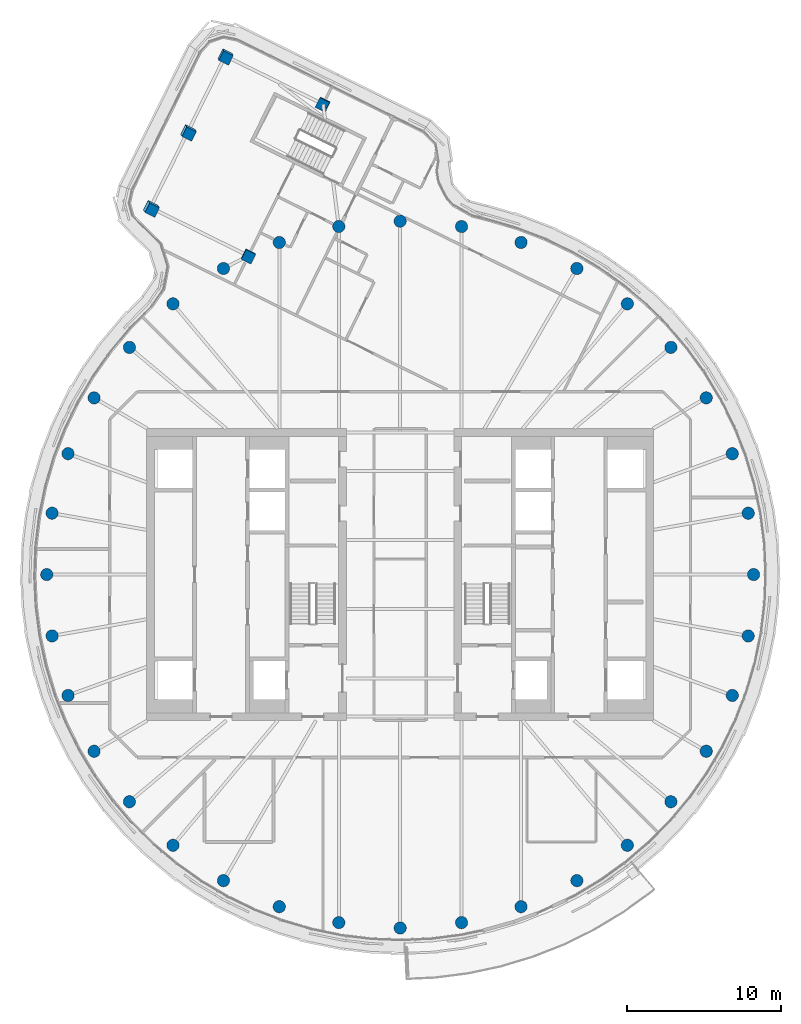
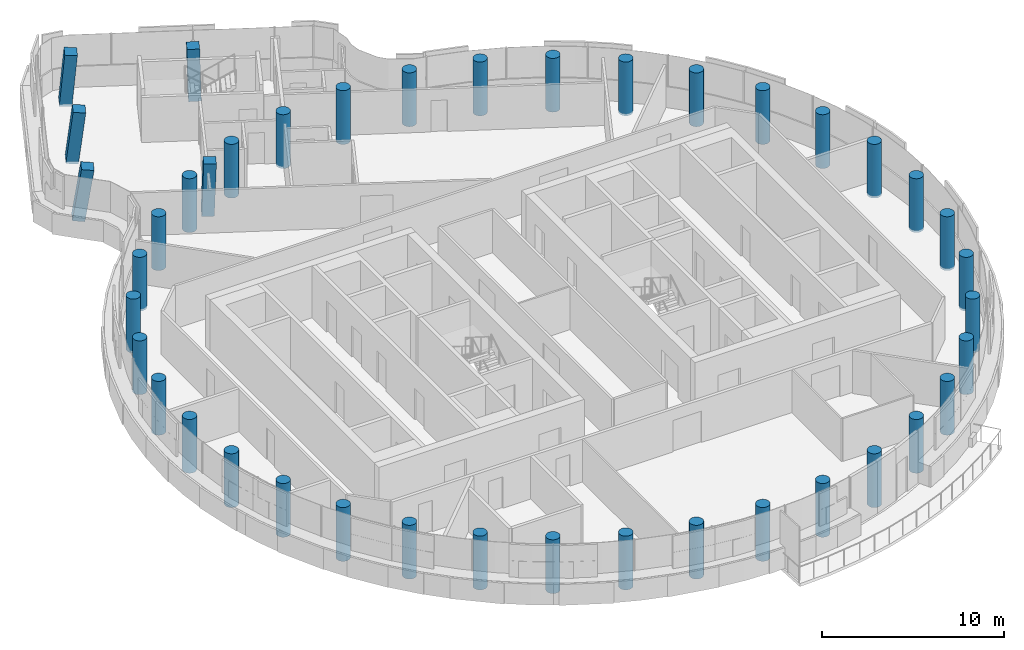
# One storey, part 1 of 21: 41 columns.
"""IFC4 building model written with IfcOpenShell, lengths in metres."""

from ifc_helpers import new_model, si_unit, direction, frame, origin, origin_2d, place, context, subcontext, project, spatial, rectangle, circle, extrude, material, material_profile, profile_set, type_object, element, save


model = new_model("IFC4")

# Units and contexts
model_context = context("Model", 3, precision=1e-05, world=origin(), true_north=direction((0.0, 1.0)))
body_context = subcontext(model_context, "Body", "Model", "MODEL_VIEW")
ifc_project = project(units=[si_unit("LENGTHUNIT", "METRE"), si_unit("AREAUNIT", "SQUARE_METRE"), si_unit("VOLUMEUNIT", "CUBIC_METRE"), si_unit("PLANEANGLEUNIT", "RADIAN"), si_unit("MASSUNIT", "GRAM", prefix="KILO")], contexts=[model_context])

# Site, building, storey
site_placement = place(None, origin())
site = spatial("IfcSite", under=ifc_project, at=site_placement, CompositionType="ELEMENT")
building_placement = place(site_placement, origin())
building = spatial("IfcBuilding", under=site, at=building_placement, Name="Tamarind Cross Interchange Tower", CompositionType="ELEMENT")
storey_placement = place(building_placement, frame((0.0, 0.0, 264.0)))
storey = spatial("IfcBuildingStorey", under=building, at=storey_placement, Name="L67", CompositionType="ELEMENT", Elevation=264.0)

# Columns
ifc_material = material(Name="Concrete C45", Category="concrete")
ifc_material_profile_1 = material_profile(ifc_material, rectangle(XDim=0.699951171875, YDim=0.699951171875, at=origin_2d()), Name="RC 700x700")
ifc_profile_set_1 = profile_set([ifc_material_profile_1], Name="Concrete C45")
column_type_1 = type_object("IfcColumnType", Name="Column RC 700x700 Concrete C45", PredefinedType="COLUMN", material=ifc_profile_set_1)
for number, where, z_axis, x_axis, name in (
    (1, (-9.876953125, 20.7412109375, -0.138671875), (0.006777933843, -0.049953372425, 0.998728551808), (0.44361754105, 0.895242437735, 0.041766672718), "Column L67-045"),
    (2, (-5.009033203125, 30.605224609375, -0.138671875), (-0.043243389266, -0.02575625066, 0.998732509152), (0.896561674738, -0.442069404133, 0.027419068538), "Column L67-046"),
):
    element("IfcColumn", number, at=place(storey_placement, frame(where, z_axis=z_axis, x_axis=x_axis)), inside=storey, type_object=column_type_1, Name=name, PredefinedType="COLUMN", context=body_context, shape_type="SweptSolid", body=[
        extrude(rectangle(XDim=0.699951171875, YDim=0.699951171875, at=origin_2d()), origin(), (0.0, 0.0, 1.0), 3.60205078125),
    ])
column_1_placement = place(storey_placement, frame((-11.382080078125, 33.75048828125, -0.137939453125), z_axis=(0.037388706779, -0.103055153883, 0.993972695733), x_axis=(0.443598131686, 0.89300602886, 0.075900790407)))
element("IfcColumn", 3, at=column_1_placement, inside=storey, type_object=column_type_1, Name="Column L67-047", PredefinedType="COLUMN", context=body_context, shape_type="SweptSolid", body=[
    extrude(rectangle(XDim=0.699951171875, YDim=0.699951171875, at=origin_2d()), origin(), (0.0, 0.0, 1.0), 3.617431640625),
])
column_2_placement = place(storey_placement, frame((-13.81591796875, 28.818359375, -0.137939453125), z_axis=(0.062133692311, -0.114775672145, 0.991446392582), x_axis=(0.444803499546, 0.892445405657, 0.07543901321)))
element("IfcColumn", 4, at=column_2_placement, inside=storey, type_object=column_type_1, Name="Column L67-048", PredefinedType="COLUMN", context=body_context, shape_type="SweptSolid", body=[
    extrude(rectangle(XDim=0.699951171875, YDim=0.699951171875, at=origin_2d()), origin(), (0.0, 0.0, 1.0), 3.626708984375),
])
column_3_placement = place(storey_placement, frame((-16.25, 23.88623046875, -0.1376953125), z_axis=(0.086693204797, -0.126416406995, 0.988181754681), x_axis=(0.446093420118, 0.891842055104, 0.074956048959)))
element("IfcColumn", 5, at=column_3_placement, inside=storey, type_object=column_type_1, Name="Column L67-049", PredefinedType="COLUMN", context=body_context, shape_type="SweptSolid", body=[
    extrude(rectangle(XDim=0.699951171875, YDim=0.699951171875, at=origin_2d()), origin(), (0.0, 0.0, 1.0), 3.638427734375),
])
ifc_material_profile_2 = material_profile(ifc_material, circle(Radius=0.39990234375, at=origin_2d()), Name="RC D800")
ifc_profile_set_2 = profile_set([ifc_material_profile_2], Name="Concrete C45")
column_type_2 = type_object("IfcColumnType", Name="Column RC D800 Concrete C45", PredefinedType="COLUMN", material=ifc_profile_set_2)
for number, where, z_axis, x_axis, name in (
    (6, (23.0, 0.0, -0.139892578125), (0.0, 0.0, 1.0), (1.0, 0.0, 0.0), "Column L67-000"),
    (7, (22.650634765625, 3.993896484375, -0.139892578125), (0.0, 0.0, 1.0), (1.0, 0.0, 0.0), "Column L67-001"),
    (8, (21.613037109375, 7.866455078125, -0.139892578125), (0.0, 0.0, 1.0), (1.0, 0.0, 0.0), "Column L67-002"),
    (9, (19.918701171875, 11.5, -0.139892578125), (0.0, 0.0, 1.0), (1.0, 0.0, 0.0), "Column L67-003"),
    (10, (17.619140625, 14.7841796875, -0.139892578125), (0.0, 0.0, 1.0), (1.0, 0.0, 0.0), "Column L67-004"),
    (11, (14.7841796875, 17.619140625, -0.139892578125), (0.0, 0.0, 1.0), (1.0, 0.0, 0.0), "Column L67-005"),
    (12, (11.5, 19.918701171875, -0.139892578125), (0.0, 0.0, 1.0), (1.0, 0.0, 0.0), "Column L67-006"),
    (13, (7.866455078125, 21.613037109375, -0.139892578125), (0.0, 0.0, 1.0), (1.0, 0.0, 0.0), "Column L67-007"),
    (14, (3.993896484375, 22.650634765625, -0.139892578125), (0.0, 0.0, 1.0), (1.0, 0.0, 0.0), "Column L67-008"),
    (15, (0.0, 23.0, -0.139892578125), (0.0, 0.0, 1.0), (1.0, 0.0, 0.0), "Column L67-009"),
    (16, (-3.993896484375, 22.650634765625, -0.139892578125), (0.0, 0.0, 1.0), (1.0, 0.0, 0.0), "Column L67-010"),
    (17, (-7.866455078125, 21.613037109375, -0.139892578125), (0.0, 0.0, 1.0), (1.0, 0.0, 0.0), "Column L67-011"),
    (18, (-11.5, 19.918701171875, -0.139892578125), (0.0, 0.0, 1.0), (1.0, 0.0, 0.0), "Column L67-012"),
    (19, (-14.7841796875, 17.619140625, -0.139892578125), (0.0, 0.0, 1.0), (1.0, 0.0, 0.0), "Column L67-013"),
    (20, (-17.619140625, 14.7841796875, -0.139892578125), (0.0, 0.0, 1.0), (1.0, 0.0, 0.0), "Column L67-014"),
    (21, (-19.918701171875, 11.5, -0.139892578125), (0.0, 0.0, 1.0), (1.0, 0.0, 0.0), "Column L67-015"),
    (22, (-21.613037109375, 7.866455078125, -0.139892578125), (0.0, 0.0, 1.0), (1.0, 0.0, 0.0), "Column L67-016"),
    (23, (-22.650634765625, 3.993896484375, -0.139892578125), (0.0, 0.0, 1.0), (1.0, 0.0, 0.0), "Column L67-017"),
    (24, (-23.0, 0.0, -0.139892578125), (0.0, 0.0, 1.0), (1.0, 0.0, 0.0), "Column L67-018"),
    (25, (-22.650634765625, -3.993896484375, -0.139892578125), (0.0, 0.0, 1.0), (1.0, 0.0, 0.0), "Column L67-019"),
    (26, (-21.613037109375, -7.866455078125, -0.139892578125), (0.0, 0.0, 1.0), (1.0, 0.0, 0.0), "Column L67-020"),
    (27, (-19.918701171875, -11.5, -0.139892578125), (0.0, 0.0, 1.0), (1.0, 0.0, 0.0), "Column L67-021"),
    (28, (-17.619140625, -14.7841796875, -0.139892578125), (0.0, 0.0, 1.0), (1.0, 0.0, 0.0), "Column L67-022"),
    (29, (-14.7841796875, -17.619140625, -0.139892578125), (0.0, 0.0, 1.0), (1.0, 0.0, 0.0), "Column L67-023"),
    (30, (-11.5, -19.918701171875, -0.139892578125), (0.0, 0.0, 1.0), (1.0, 0.0, 0.0), "Column L67-024"),
    (31, (-7.866455078125, -21.613037109375, -0.139892578125), (0.0, 0.0, 1.0), (1.0, 0.0, 0.0), "Column L67-025"),
    (32, (-3.993896484375, -22.650634765625, -0.139892578125), (0.0, 0.0, 1.0), (1.0, 0.0, 0.0), "Column L67-026"),
    (33, (0.0, -23.0, -0.139892578125), (0.0, 0.0, 1.0), (1.0, 0.0, 0.0), "Column L67-027"),
    (34, (3.993896484375, -22.650634765625, -0.139892578125), (0.0, 0.0, 1.0), (1.0, 0.0, 0.0), "Column L67-028"),
    (35, (7.866455078125, -21.613037109375, -0.139892578125), (0.0, 0.0, 1.0), (1.0, 0.0, 0.0), "Column L67-029"),
    (36, (11.5, -19.918701171875, -0.139892578125), (0.0, 0.0, 1.0), (1.0, 0.0, 0.0), "Column L67-030"),
    (37, (14.7841796875, -17.619140625, -0.139892578125), (0.0, 0.0, 1.0), (1.0, 0.0, 0.0), "Column L67-031"),
    (38, (17.619140625, -14.7841796875, -0.139892578125), (0.0, 0.0, 1.0), (1.0, 0.0, 0.0), "Column L67-032"),
    (39, (19.918701171875, -11.5, -0.139892578125), (0.0, 0.0, 1.0), (1.0, 0.0, 0.0), "Column L67-033"),
    (40, (21.613037109375, -7.866455078125, -0.139892578125), (0.0, 0.0, 1.0), (1.0, 0.0, 0.0), "Column L67-034"),
    (41, (22.650634765625, -3.993896484375, -0.139892578125), (0.0, 0.0, 1.0), (1.0, 0.0, 0.0), "Column L67-035"),
):
    element("IfcColumn", number, at=place(storey_placement, frame(where, z_axis=z_axis, x_axis=x_axis)), inside=storey, type_object=column_type_2, Name=name, PredefinedType="COLUMN", context=body_context, shape_type="SweptSolid", body=[
        extrude(circle(Radius=0.39990234375, at=origin_2d()), origin(), (0.0, 0.0, 1.0), 3.599853515625),
    ])

save(model, "model.ifc")
